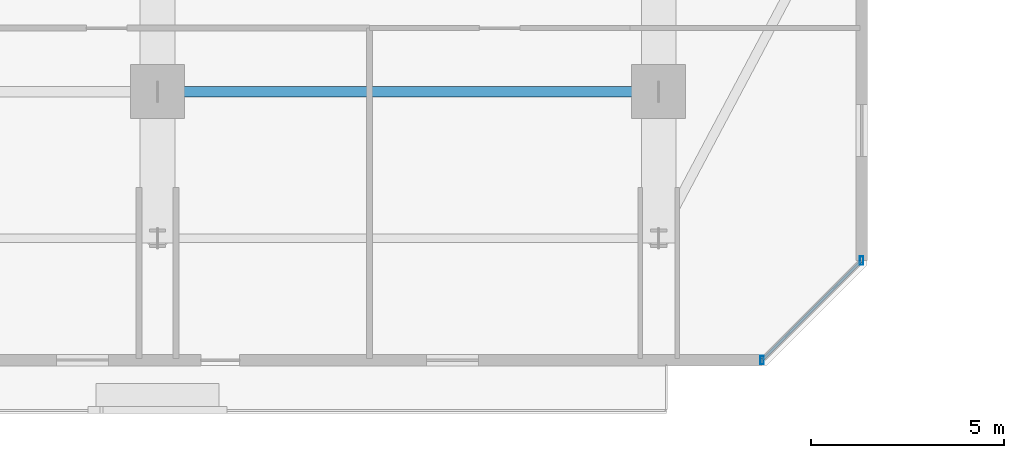
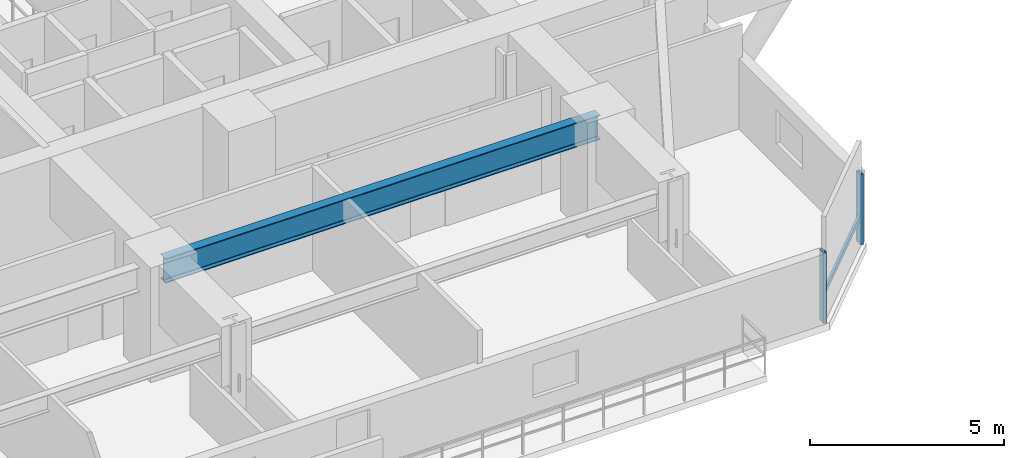
# One storey, part 5 of 36: 3 members, 1 beam, 1 element without a shape of its own.
"""IFC4 building model written with IfcOpenShell, lengths in metres."""

from ifc_helpers import new_model, si_unit, direction, frame, origin, origin_2d, place, context, subcontext, project, spatial, hollow_rectangle, i_section, extrude, material, material_profile, profile_set, type_object, element, aggregate, save


model = new_model("IFC4")

# Units and contexts
model_context = context("Model", 3, precision=1e-05, world=origin(), true_north=direction((0.0, 1.0)))
body_context = subcontext(model_context, "Body", "Model", "MODEL_VIEW")
ifc_project = project(units=[si_unit("LENGTHUNIT", "METRE"), si_unit("AREAUNIT", "SQUARE_METRE"), si_unit("VOLUMEUNIT", "CUBIC_METRE"), si_unit("PLANEANGLEUNIT", "RADIAN"), si_unit("MASSUNIT", "GRAM", prefix="KILO")], contexts=[model_context])

# Site, building, storey
site_placement = place(None, origin())
site = spatial("IfcSite", under=ifc_project, at=site_placement, CompositionType="ELEMENT")
building_placement = place(site_placement, origin())
building = spatial("IfcBuilding", under=site, at=building_placement, Name="Thornwick Lancets Civic Towers", CompositionType="ELEMENT")
storey_placement = place(building_placement, frame((0.0, 0.0, 45.89990234375)))
storey = spatial("IfcBuildingStorey", under=building, at=storey_placement, Name="L11", CompositionType="ELEMENT", Elevation=45.89990234375)

# Beam
ifc_material_1 = material(Name="Steel S355JR", Category="steel")
ifc_material_profile_1 = material_profile(ifc_material_1, i_section(OverallWidth=0.26806640625, OverallDepth=0.769775390625, WebThickness=0.015625, FlangeThickness=0.025390625, FilletRadius=0.0166015625, at=origin_2d()), Name="UKB 762x267x197")
ifc_profile_set_1 = profile_set([ifc_material_profile_1], Name="Steel S355JR")
beam_type = type_object("IfcBeamType", Name="BM_GIRD_762_197", PredefinedType="BEAM", material=ifc_profile_set_1)
beam_placement = place(storey_placement, frame((25.580078125, 9.699951171875, 2.895263671875), z_axis=(1.0, 0.0, 0.0), x_axis=(0.0, 1.0, 0.0)))
element("IfcBeam", 1, at=beam_placement, inside=storey, type_object=beam_type, Name="BM-SPINE-L11-A-1-2", PredefinedType="BEAM", context=body_context, shape_type="SweptSolid", body=[
    extrude(i_section(OverallWidth=0.26806640625, OverallDepth=0.769775390625, WebThickness=0.015625, FlangeThickness=0.025390625, FilletRadius=0.0166015625, at=origin_2d()), origin(), (0.0, 0.0, 1.0), 12.919921875),
])

# Curtain wall, members
ifc_material_2 = material(Name="Low-zone chamfered-corner unitised glass curtain wall", Category="glass")
curtain_wall_type = type_object("IfcCurtainWallType", Name="CW_SYS_03", PredefinedType="NOTDEFINED", material=ifc_material_2)
curtain_wall_placement = place(storey_placement, origin())
curtain_wall = element("IfcCurtainWall", 2, at=curtain_wall_placement, inside=storey, type_object=curtain_wall_type, Name="L11 Curtain Wall CW-L11-A-E1", PredefinedType="NOTDEFINED")
ifc_material_3 = material(Name="Thermally broken bronze aluminium S355", Category="steel")
ifc_material_profile_2 = material_profile(ifc_material_3, hollow_rectangle(XDim=0.090087890625, YDim=0.219970703125, WallThickness=0.00634765625, at=origin_2d()), Name="RHS 220x90x6.3")
ifc_profile_set_2 = profile_set([ifc_material_profile_2], Name="Thermally broken bronze aluminium S355")
member_type_1 = type_object("IfcMemberType", Name="CW_MUL_220", PredefinedType="MULLION", material=ifc_profile_set_2)
member_1_placement = place(storey_placement, frame((41.18115234375, 2.735107421875, 0.0), z_axis=(0.0, 0.0, 1.0), x_axis=(1.0, 0.0, 0.0)))
member_1 = element("IfcMember", 3, at=member_1_placement, type_object=member_type_1, Name="CW-L11-A-E1 Mullion 0", PredefinedType="MULLION", context=body_context, shape_type="SweptSolid", body=[
    extrude(hollow_rectangle(XDim=0.090087890625, YDim=0.219970703125, WallThickness=0.00634765625, at=origin_2d()), origin(), (0.0, 0.0, 1.0), 2.22021484375),
])
member_2_placement = place(storey_placement, frame((43.764892578125, 5.31884765625, 0.0), z_axis=(0.0, 0.0, 1.0), x_axis=(1.0, 0.0, 0.0)))
member_2 = element("IfcMember", 4, at=member_2_placement, type_object=member_type_1, Name="CW-L11-A-E1 Mullion 1", PredefinedType="MULLION", context=body_context, shape_type="SweptSolid", body=[
    extrude(hollow_rectangle(XDim=0.090087890625, YDim=0.219970703125, WallThickness=0.00634765625, at=origin_2d()), origin(), (0.0, 0.0, 1.0), 2.22021484375),
])
ifc_material_profile_3 = material_profile(ifc_material_3, hollow_rectangle(XDim=0.074951171875, YDim=0.14990234375, WallThickness=0.0048828125, at=origin_2d()), Name="RHS 150x75x5")
ifc_profile_set_3 = profile_set([ifc_material_profile_3], Name="Thermally broken bronze aluminium S355")
member_type_2 = type_object("IfcMemberType", Name="CW_TRN_150", PredefinedType="USERDEFINED", material=ifc_profile_set_3)
member_3_placement = place(storey_placement, frame((41.1953125, 2.749267578125, 0.85009765625), z_axis=(0.707106781187, 0.707106781187, 0.0), x_axis=(-0.707106781187, 0.707106781187, 0.0)))
member_3 = element("IfcMember", 5, at=member_3_placement, type_object=member_type_2, Name="CW-L11-A-E1 Transom 0", ObjectType="TRANSOM", PredefinedType="USERDEFINED", context=body_context, shape_type="SweptSolid", body=[
    extrude(hollow_rectangle(XDim=0.074951171875, YDim=0.14990234375, WallThickness=0.0048828125, at=origin_2d()), origin(), (0.0, 0.0, 1.0), 3.614013671875),
])
aggregate(curtain_wall, [member_1, member_2, member_3])

save(model, "model.ifc")
